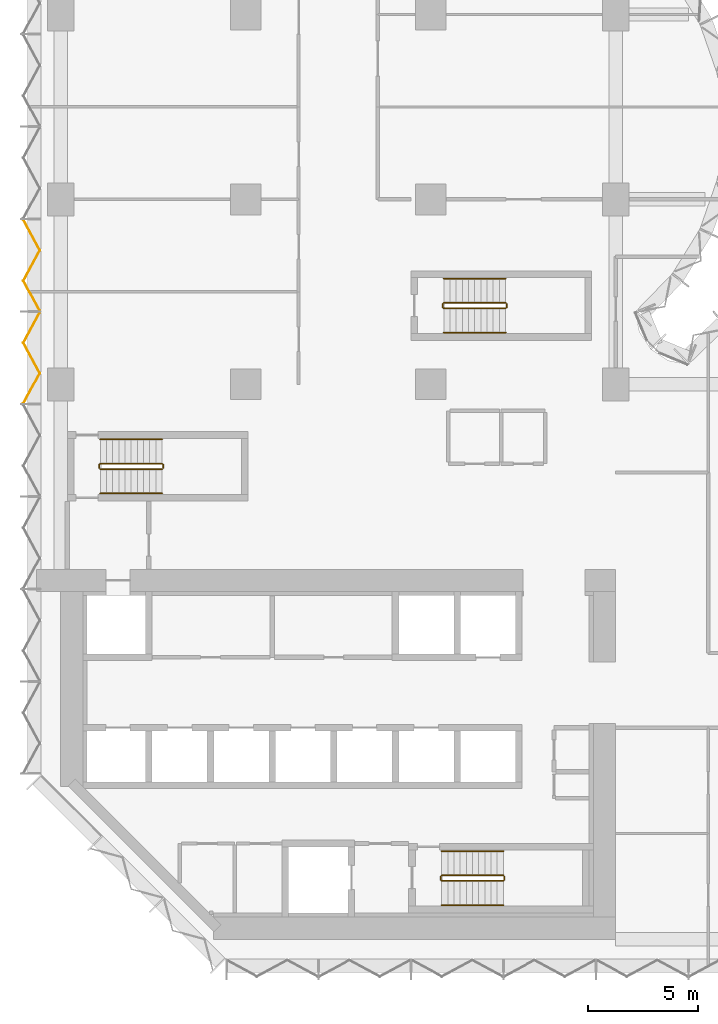
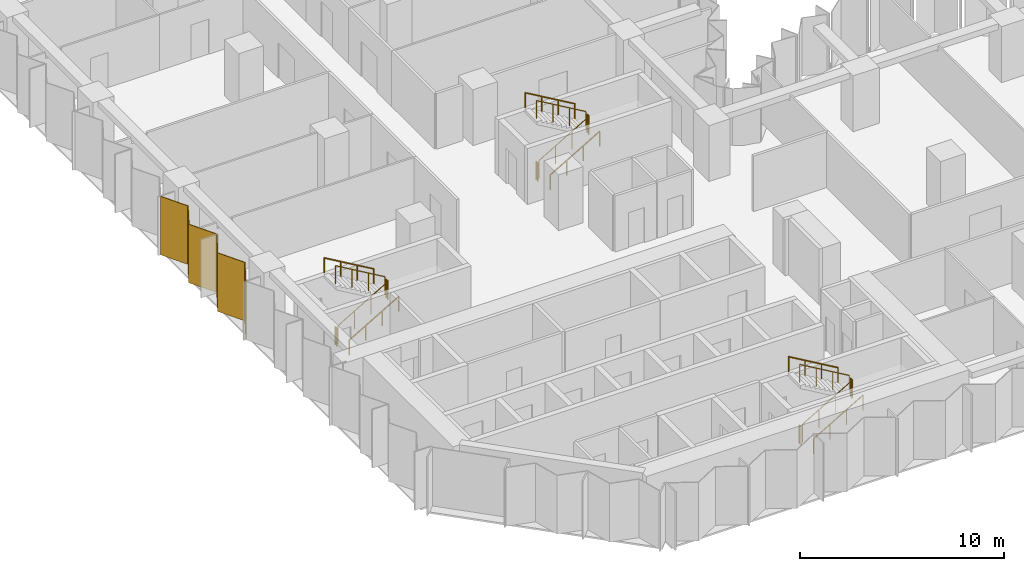
# One storey, part 13 of 15: 18 railings, 2 coverings, 1 element without a shape of its own.
"""IFC4 building model written with IfcOpenShell, lengths in metres."""

from ifc_helpers import new_model, si_unit, direction, frame, origin, origin_2d, place, context, subcontext, project, spatial, polyline, circle, outline, extrude, material, layer, layer_set, type_object, element, aggregate, save


model = new_model("IFC4")

# Units and contexts
model_context = context("Model", 3, precision=1e-05, world=origin(), true_north=direction((0.0, 1.0)))
body_context = subcontext(model_context, "Body", "Model", "MODEL_VIEW")
ifc_project = project(units=[si_unit("LENGTHUNIT", "METRE"), si_unit("AREAUNIT", "SQUARE_METRE"), si_unit("VOLUMEUNIT", "CUBIC_METRE"), si_unit("PLANEANGLEUNIT", "RADIAN"), si_unit("MASSUNIT", "GRAM", prefix="KILO")], contexts=[model_context])

# Site, building, storey
site_placement = place(None, origin())
site = spatial("IfcSite", under=ifc_project, at=site_placement, CompositionType="ELEMENT")
building_placement = place(site_placement, origin())
building = spatial("IfcBuilding", under=site, at=building_placement, Name="Brevane Broadcast Tower", CompositionType="ELEMENT")
storey_placement = place(building_placement, frame((0.0, 0.0, 54.5)))
storey = spatial("IfcBuildingStorey", under=building, at=storey_placement, Name="L11", CompositionType="ELEMENT", Elevation=54.5)

# Railings
ifc_material_1 = material(Name="Steel S355", Category="steel")
railing_type_1 = type_object("IfcRailingType", Name="Exit stair guard", PredefinedType="GUARDRAIL", material=ifc_material_1)
railing_1_placement = place(storey_placement, frame((1.800048828125, 21.35009765625, 0.16357421875)))
element("IfcRailing", 1, at=railing_1_placement, inside=storey, type_object=railing_type_1, Name="L11 ST-1 stair guard 1", PredefinedType="GUARDRAIL", context=body_context, shape_type="SweptSolid", body=[
    extrude(circle(Radius=0.02392578125, at=origin_2d()), frame((0.0, 0.0, 1.076171875), z_axis=(0.863360870873, 0.0, 0.504586966384), x_axis=(0.0, 1.0, 0.0)), (0.0, 0.0, 1.0), 3.2431640625),
    extrude(circle(Radius=0.02099609375, at=origin_2d()), origin(), (0.0, 0.0, 1.0), 1.052001953125),
    extrude(circle(Radius=0.02099609375, at=origin_2d()), frame((0.933349609375, 0.0, 0.54541015625)), (0.0, 0.0, 1.0), 1.052001953125),
    extrude(circle(Radius=0.02099609375, at=origin_2d()), frame((1.86669921875, 0.0, 1.091064453125)), (0.0, 0.0, 1.0), 1.052001953125),
    extrude(circle(Radius=0.02099609375, at=origin_2d()), frame((2.800048828125, 0.0, 1.636474609375)), (0.0, 0.0, 1.0), 1.052001953125),
])
railing_2_placement = place(storey_placement, frame((4.64990234375, 21.39990234375, 1.800048828125)))
element("IfcRailing", 2, at=railing_2_placement, inside=storey, type_object=railing_type_1, Name="L11 ST-1 stair guard 2", PredefinedType="GUARDRAIL", context=body_context, shape_type="SweptSolid", body=[
    extrude(circle(Radius=0.02392578125, at=origin_2d()), frame((0.0, 0.0, 1.076171875), z_axis=(0.0, 1.0, 0.0), x_axis=(-1.0, 0.0, 0.0)), (0.0, 0.0, 1.0), 0.150146484375),
    extrude(circle(Radius=0.02099609375, at=origin_2d()), origin(), (0.0, 0.0, 1.0), 1.052001953125),
    extrude(circle(Radius=0.02099609375, at=origin_2d()), frame((0.0, 0.150146484375, 0.0)), (0.0, 0.0, 1.0), 1.052001953125),
])
railing_3_placement = place(storey_placement, frame((4.60009765625, 21.60009765625, 1.963623046875)))
element("IfcRailing", 3, at=railing_3_placement, inside=storey, type_object=railing_type_1, Name="L11 ST-1 stair guard 3", PredefinedType="GUARDRAIL", context=body_context, shape_type="SweptSolid", body=[
    extrude(circle(Radius=0.02392578125, at=origin_2d()), frame((0.0, 0.0, 1.076171875), z_axis=(-0.863360870873, 0.0, 0.504586966384), x_axis=(0.0, -1.0, 0.0)), (0.0, 0.0, 1.0), 3.2431640625),
    extrude(circle(Radius=0.02099609375, at=origin_2d()), origin(), (0.0, 0.0, 1.0), 1.052001953125),
    extrude(circle(Radius=0.02099609375, at=origin_2d()), frame((-0.933349609375, 0.0, 0.54541015625)), (0.0, 0.0, 1.0), 1.052001953125),
    extrude(circle(Radius=0.02099609375, at=origin_2d()), frame((-1.86669921875, 0.0, 1.091064453125)), (0.0, 0.0, 1.0), 1.052001953125),
    extrude(circle(Radius=0.02099609375, at=origin_2d()), frame((-2.800048828125, 0.0, 1.636474609375)), (0.0, 0.0, 1.0), 1.052001953125),
])
railing_4_placement = place(storey_placement, frame((1.75, 21.39990234375, 0.0)))
element("IfcRailing", 4, at=railing_4_placement, inside=storey, type_object=railing_type_1, Name="L11 ST-1 stair guard 4", PredefinedType="GUARDRAIL", context=body_context, shape_type="SweptSolid", body=[
    extrude(circle(Radius=0.02392578125, at=origin_2d()), frame((0.0, 0.0, 1.076171875), z_axis=(0.0, 1.0, 0.0), x_axis=(-1.0, 0.0, 0.0)), (0.0, 0.0, 1.0), 0.150146484375),
    extrude(circle(Radius=0.02099609375, at=origin_2d()), origin(), (0.0, 0.0, 1.0), 1.052001953125),
    extrude(circle(Radius=0.02099609375, at=origin_2d()), frame((0.0, 0.150146484375, 0.0)), (0.0, 0.0, 1.0), 1.052001953125),
])
railing_5_placement = place(storey_placement, frame((17.300048828125, 2.64990234375, 0.16357421875)))
element("IfcRailing", 5, at=railing_5_placement, inside=storey, type_object=railing_type_1, Name="L11 ST-2 stair guard 1", PredefinedType="GUARDRAIL", context=body_context, shape_type="SweptSolid", body=[
    extrude(circle(Radius=0.02392578125, at=origin_2d()), frame((0.0, 0.0, 1.076171875), z_axis=(0.863360870873, 0.0, 0.504586966384), x_axis=(0.0, 1.0, 0.0)), (0.0, 0.0, 1.0), 3.2431640625),
    extrude(circle(Radius=0.02099609375, at=origin_2d()), origin(), (0.0, 0.0, 1.0), 1.052001953125),
    extrude(circle(Radius=0.02099609375, at=origin_2d()), frame((0.933349609375, 0.0, 0.54541015625)), (0.0, 0.0, 1.0), 1.052001953125),
    extrude(circle(Radius=0.02099609375, at=origin_2d()), frame((1.86669921875, 0.0, 1.091064453125)), (0.0, 0.0, 1.0), 1.052001953125),
    extrude(circle(Radius=0.02099609375, at=origin_2d()), frame((2.800048828125, 0.0, 1.636474609375)), (0.0, 0.0, 1.0), 1.052001953125),
])
railing_6_placement = place(storey_placement, frame((20.14990234375, 2.699951171875, 1.800048828125)))
element("IfcRailing", 6, at=railing_6_placement, inside=storey, type_object=railing_type_1, Name="L11 ST-2 stair guard 2", PredefinedType="GUARDRAIL", context=body_context, shape_type="SweptSolid", body=[
    extrude(circle(Radius=0.02392578125, at=origin_2d()), frame((0.0, 0.0, 1.076171875), z_axis=(0.0, 1.0, 0.0), x_axis=(-1.0, 0.0, 0.0)), (0.0, 0.0, 1.0), 0.150146484375),
    extrude(circle(Radius=0.02099609375, at=origin_2d()), origin(), (0.0, 0.0, 1.0), 1.052001953125),
    extrude(circle(Radius=0.02099609375, at=origin_2d()), frame((0.0, 0.150146484375, 0.0)), (0.0, 0.0, 1.0), 1.052001953125),
])
railing_7_placement = place(storey_placement, frame((20.10009765625, 2.89990234375, 1.963623046875)))
element("IfcRailing", 7, at=railing_7_placement, inside=storey, type_object=railing_type_1, Name="L11 ST-2 stair guard 3", PredefinedType="GUARDRAIL", context=body_context, shape_type="SweptSolid", body=[
    extrude(circle(Radius=0.02392578125, at=origin_2d()), frame((0.0, 0.0, 1.076171875), z_axis=(-0.863360870873, 0.0, 0.504586966384), x_axis=(0.0, -1.0, 0.0)), (0.0, 0.0, 1.0), 3.2431640625),
    extrude(circle(Radius=0.02099609375, at=origin_2d()), origin(), (0.0, 0.0, 1.0), 1.052001953125),
    extrude(circle(Radius=0.02099609375, at=origin_2d()), frame((-0.933349609375, 0.0, 0.54541015625)), (0.0, 0.0, 1.0), 1.052001953125),
    extrude(circle(Radius=0.02099609375, at=origin_2d()), frame((-1.86669921875, 0.0, 1.091064453125)), (0.0, 0.0, 1.0), 1.052001953125),
    extrude(circle(Radius=0.02099609375, at=origin_2d()), frame((-2.800048828125, 0.0, 1.636474609375)), (0.0, 0.0, 1.0), 1.052001953125),
])
railing_8_placement = place(storey_placement, frame((17.25, 2.699951171875, 0.0)))
element("IfcRailing", 8, at=railing_8_placement, inside=storey, type_object=railing_type_1, Name="L11 ST-2 stair guard 4", PredefinedType="GUARDRAIL", context=body_context, shape_type="SweptSolid", body=[
    extrude(circle(Radius=0.02392578125, at=origin_2d()), frame((0.0, 0.0, 1.076171875), z_axis=(0.0, 1.0, 0.0), x_axis=(-1.0, 0.0, 0.0)), (0.0, 0.0, 1.0), 0.150146484375),
    extrude(circle(Radius=0.02099609375, at=origin_2d()), origin(), (0.0, 0.0, 1.0), 1.052001953125),
    extrude(circle(Radius=0.02099609375, at=origin_2d()), frame((0.0, 0.150146484375, 0.0)), (0.0, 0.0, 1.0), 1.052001953125),
])
railing_9_placement = place(storey_placement, frame((17.39990234375, 28.64990234375, 0.16357421875)))
element("IfcRailing", 9, at=railing_9_placement, inside=storey, type_object=railing_type_1, Name="L11 ST-3 stair guard 1", PredefinedType="GUARDRAIL", context=body_context, shape_type="SweptSolid", body=[
    extrude(circle(Radius=0.02392578125, at=origin_2d()), frame((0.0, 0.0, 1.076171875), z_axis=(0.863360870873, 0.0, 0.504586966384), x_axis=(0.0, 1.0, 0.0)), (0.0, 0.0, 1.0), 3.2431640625),
    extrude(circle(Radius=0.02099609375, at=origin_2d()), origin(), (0.0, 0.0, 1.0), 1.052001953125),
    extrude(circle(Radius=0.02099609375, at=origin_2d()), frame((0.933349609375, 0.0, 0.54541015625)), (0.0, 0.0, 1.0), 1.052001953125),
    extrude(circle(Radius=0.02099609375, at=origin_2d()), frame((1.86669921875, 0.0, 1.091064453125)), (0.0, 0.0, 1.0), 1.052001953125),
    extrude(circle(Radius=0.02099609375, at=origin_2d()), frame((2.800048828125, 0.0, 1.636474609375)), (0.0, 0.0, 1.0), 1.052001953125),
])
railing_10_placement = place(storey_placement, frame((20.25, 28.699951171875, 1.800048828125)))
element("IfcRailing", 10, at=railing_10_placement, inside=storey, type_object=railing_type_1, Name="L11 ST-3 stair guard 2", PredefinedType="GUARDRAIL", context=body_context, shape_type="SweptSolid", body=[
    extrude(circle(Radius=0.02392578125, at=origin_2d()), frame((0.0, 0.0, 1.076171875), z_axis=(0.0, 1.0, 0.0), x_axis=(-1.0, 0.0, 0.0)), (0.0, 0.0, 1.0), 0.150146484375),
    extrude(circle(Radius=0.02099609375, at=origin_2d()), origin(), (0.0, 0.0, 1.0), 1.052001953125),
    extrude(circle(Radius=0.02099609375, at=origin_2d()), frame((0.0, 0.150146484375, 0.0)), (0.0, 0.0, 1.0), 1.052001953125),
])
railing_11_placement = place(storey_placement, frame((20.199951171875, 28.89990234375, 1.963623046875)))
element("IfcRailing", 11, at=railing_11_placement, inside=storey, type_object=railing_type_1, Name="L11 ST-3 stair guard 3", PredefinedType="GUARDRAIL", context=body_context, shape_type="SweptSolid", body=[
    extrude(circle(Radius=0.02392578125, at=origin_2d()), frame((0.0, 0.0, 1.076171875), z_axis=(-0.863360870873, 0.0, 0.504586966384), x_axis=(0.0, -1.0, 0.0)), (0.0, 0.0, 1.0), 3.2431640625),
    extrude(circle(Radius=0.02099609375, at=origin_2d()), origin(), (0.0, 0.0, 1.0), 1.052001953125),
    extrude(circle(Radius=0.02099609375, at=origin_2d()), frame((-0.933349609375, 0.0, 0.54541015625)), (0.0, 0.0, 1.0), 1.052001953125),
    extrude(circle(Radius=0.02099609375, at=origin_2d()), frame((-1.86669921875, 0.0, 1.091064453125)), (0.0, 0.0, 1.0), 1.052001953125),
    extrude(circle(Radius=0.02099609375, at=origin_2d()), frame((-2.800048828125, 0.0, 1.636474609375)), (0.0, 0.0, 1.0), 1.052001953125),
])
railing_12_placement = place(storey_placement, frame((17.35009765625, 28.699951171875, 0.0)))
element("IfcRailing", 12, at=railing_12_placement, inside=storey, type_object=railing_type_1, Name="L11 ST-3 stair guard 4", PredefinedType="GUARDRAIL", context=body_context, shape_type="SweptSolid", body=[
    extrude(circle(Radius=0.02392578125, at=origin_2d()), frame((0.0, 0.0, 1.076171875), z_axis=(0.0, 1.0, 0.0), x_axis=(-1.0, 0.0, 0.0)), (0.0, 0.0, 1.0), 0.150146484375),
    extrude(circle(Radius=0.02099609375, at=origin_2d()), origin(), (0.0, 0.0, 1.0), 1.052001953125),
    extrude(circle(Radius=0.02099609375, at=origin_2d()), frame((0.0, 0.150146484375, 0.0)), (0.0, 0.0, 1.0), 1.052001953125),
])
railing_type_2 = type_object("IfcRailingType", Name="Exit stair handrail", PredefinedType="HANDRAIL", material=ifc_material_1)
railing_13_placement = place(storey_placement, frame((1.800048828125, 20.25, 0.16357421875)))
element("IfcRailing", 13, at=railing_13_placement, inside=storey, type_object=railing_type_2, Name="L11 ST-1 stair handrail 1", PredefinedType="HANDRAIL", context=body_context, shape_type="SweptSolid", body=[
    extrude(circle(Radius=0.02392578125, at=origin_2d()), frame((0.0, 0.0, 0.8759765625), z_axis=(0.863360870873, 0.0, 0.504586966384), x_axis=(0.0, 1.0, 0.0)), (0.0, 0.0, 1.0), 3.2431640625),
    extrude(circle(Radius=0.02099609375, at=origin_2d()), origin(), (0.0, 0.0, 1.0), 0.851806640625),
    extrude(circle(Radius=0.02099609375, at=origin_2d()), frame((0.933349609375, 0.0, 0.54541015625)), (0.0, 0.0, 1.0), 0.851806640625),
    extrude(circle(Radius=0.02099609375, at=origin_2d()), frame((1.86669921875, 0.0, 1.091064453125)), (0.0, 0.0, 1.0), 0.851806640625),
    extrude(circle(Radius=0.02099609375, at=origin_2d()), frame((2.800048828125, 0.0, 1.636474609375)), (0.0, 0.0, 1.0), 0.851806640625),
])
railing_14_placement = place(storey_placement, frame((4.60009765625, 22.699951171875, 1.963623046875)))
element("IfcRailing", 14, at=railing_14_placement, inside=storey, type_object=railing_type_2, Name="L11 ST-1 stair handrail 2", PredefinedType="HANDRAIL", context=body_context, shape_type="SweptSolid", body=[
    extrude(circle(Radius=0.02392578125, at=origin_2d()), frame((0.0, 0.0, 0.8759765625), z_axis=(-0.863360870873, 0.0, 0.504586966384), x_axis=(0.0, -1.0, 0.0)), (0.0, 0.0, 1.0), 3.2431640625),
    extrude(circle(Radius=0.02099609375, at=origin_2d()), origin(), (0.0, 0.0, 1.0), 0.851806640625),
    extrude(circle(Radius=0.02099609375, at=origin_2d()), frame((-0.933349609375, 0.0, 0.54541015625)), (0.0, 0.0, 1.0), 0.851806640625),
    extrude(circle(Radius=0.02099609375, at=origin_2d()), frame((-1.86669921875, 0.0, 1.091064453125)), (0.0, 0.0, 1.0), 0.851806640625),
    extrude(circle(Radius=0.02099609375, at=origin_2d()), frame((-2.800048828125, 0.0, 1.636474609375)), (0.0, 0.0, 1.0), 0.851806640625),
])
railing_15_placement = place(storey_placement, frame((17.300048828125, 1.550048828125, 0.16357421875)))
element("IfcRailing", 15, at=railing_15_placement, inside=storey, type_object=railing_type_2, Name="L11 ST-2 stair handrail 1", PredefinedType="HANDRAIL", context=body_context, shape_type="SweptSolid", body=[
    extrude(circle(Radius=0.02392578125, at=origin_2d()), frame((0.0, 0.0, 0.8759765625), z_axis=(0.863360870873, 0.0, 0.504586966384), x_axis=(0.0, 1.0, 0.0)), (0.0, 0.0, 1.0), 3.2431640625),
    extrude(circle(Radius=0.02099609375, at=origin_2d()), origin(), (0.0, 0.0, 1.0), 0.851806640625),
    extrude(circle(Radius=0.02099609375, at=origin_2d()), frame((0.933349609375, 0.0, 0.54541015625)), (0.0, 0.0, 1.0), 0.851806640625),
    extrude(circle(Radius=0.02099609375, at=origin_2d()), frame((1.86669921875, 0.0, 1.091064453125)), (0.0, 0.0, 1.0), 0.851806640625),
    extrude(circle(Radius=0.02099609375, at=origin_2d()), frame((2.800048828125, 0.0, 1.636474609375)), (0.0, 0.0, 1.0), 0.851806640625),
])
railing_16_placement = place(storey_placement, frame((20.10009765625, 4.0, 1.963623046875)))
element("IfcRailing", 16, at=railing_16_placement, inside=storey, type_object=railing_type_2, Name="L11 ST-2 stair handrail 2", PredefinedType="HANDRAIL", context=body_context, shape_type="SweptSolid", body=[
    extrude(circle(Radius=0.02392578125, at=origin_2d()), frame((0.0, 0.0, 0.8759765625), z_axis=(-0.863360870873, 0.0, 0.504586966384), x_axis=(0.0, -1.0, 0.0)), (0.0, 0.0, 1.0), 3.2431640625),
    extrude(circle(Radius=0.02099609375, at=origin_2d()), origin(), (0.0, 0.0, 1.0), 0.851806640625),
    extrude(circle(Radius=0.02099609375, at=origin_2d()), frame((-0.933349609375, 0.0, 0.54541015625)), (0.0, 0.0, 1.0), 0.851806640625),
    extrude(circle(Radius=0.02099609375, at=origin_2d()), frame((-1.86669921875, 0.0, 1.091064453125)), (0.0, 0.0, 1.0), 0.851806640625),
    extrude(circle(Radius=0.02099609375, at=origin_2d()), frame((-2.800048828125, 0.0, 1.636474609375)), (0.0, 0.0, 1.0), 0.851806640625),
])
railing_17_placement = place(storey_placement, frame((17.39990234375, 27.550048828125, 0.16357421875)))
element("IfcRailing", 17, at=railing_17_placement, inside=storey, type_object=railing_type_2, Name="L11 ST-3 stair handrail 1", PredefinedType="HANDRAIL", context=body_context, shape_type="SweptSolid", body=[
    extrude(circle(Radius=0.02392578125, at=origin_2d()), frame((0.0, 0.0, 0.8759765625), z_axis=(0.863360870873, 0.0, 0.504586966384), x_axis=(0.0, 1.0, 0.0)), (0.0, 0.0, 1.0), 3.2431640625),
    extrude(circle(Radius=0.02099609375, at=origin_2d()), origin(), (0.0, 0.0, 1.0), 0.851806640625),
    extrude(circle(Radius=0.02099609375, at=origin_2d()), frame((0.933349609375, 0.0, 0.54541015625)), (0.0, 0.0, 1.0), 0.851806640625),
    extrude(circle(Radius=0.02099609375, at=origin_2d()), frame((1.86669921875, 0.0, 1.091064453125)), (0.0, 0.0, 1.0), 0.851806640625),
    extrude(circle(Radius=0.02099609375, at=origin_2d()), frame((2.800048828125, 0.0, 1.636474609375)), (0.0, 0.0, 1.0), 0.851806640625),
])
railing_18_placement = place(storey_placement, frame((20.199951171875, 30.0, 1.963623046875)))
element("IfcRailing", 18, at=railing_18_placement, inside=storey, type_object=railing_type_2, Name="L11 ST-3 stair handrail 2", PredefinedType="HANDRAIL", context=body_context, shape_type="SweptSolid", body=[
    extrude(circle(Radius=0.02392578125, at=origin_2d()), frame((0.0, 0.0, 0.8759765625), z_axis=(-0.863360870873, 0.0, 0.504586966384), x_axis=(0.0, -1.0, 0.0)), (0.0, 0.0, 1.0), 3.2431640625),
    extrude(circle(Radius=0.02099609375, at=origin_2d()), origin(), (0.0, 0.0, 1.0), 0.851806640625),
    extrude(circle(Radius=0.02099609375, at=origin_2d()), frame((-0.933349609375, 0.0, 0.54541015625)), (0.0, 0.0, 1.0), 0.851806640625),
    extrude(circle(Radius=0.02099609375, at=origin_2d()), frame((-1.86669921875, 0.0, 1.091064453125)), (0.0, 0.0, 1.0), 0.851806640625),
    extrude(circle(Radius=0.02099609375, at=origin_2d()), frame((-2.800048828125, 0.0, 1.636474609375)), (0.0, 0.0, 1.0), 0.851806640625),
])

# Curtain wall, coverings
ifc_material_2 = material(Name="Aluminium 6063-T6 bronze anodised", Category="aluminium")
curtain_wall_type = type_object("IfcCurtainWallType", Name="CW-1 curtain wall", PredefinedType="NOTDEFINED", material=ifc_material_2)
curtain_wall_placement = place(storey_placement, origin())
curtain_wall = element("IfcCurtainWall", 19, at=curtain_wall_placement, inside=storey, type_object=curtain_wall_type, Name="CW-1 typical tilted unit L11 west face", PredefinedType="NOTDEFINED")
ifc_material_3 = material(Name="Back-painted bronze glass shadow-box", Category="glass")
ifc_layer = layer(ifc_material_3, 0.0400390625)
ifc_layer_set = layer_set([ifc_layer], Name="Shadow-box panel 40")
covering_type = type_object("IfcCoveringType", Name="Shadow-box panel 40", PredefinedType="CLADDING", material=ifc_layer_set)
covering_1_placement = place(storey_placement, frame((0.0, 0.0, -0.14990234375)))
covering_1 = element("IfcCovering", 20, at=covering_1_placement, type_object=covering_type, Name="Shadow-box panel", PredefinedType="CLADDING", context=body_context, shape_type="SweptSolid", body=[
    extrude(outline(polyline([(-1.671630859375, 32.6650390625), (-1.717041015625, 32.6650390625), (-0.97265625, 31.288330078125), (-1.717041015625, 29.91162109375), (-0.97265625, 28.534912109375), (-0.92724609375, 28.534912109375), (-1.671630859375, 29.91162109375), (-0.92724609375, 31.288330078125), (-1.671630859375, 32.6650390625)])), origin(), (0.0, 0.0, 1.0), 3.5),
])
covering_2_placement = place(storey_placement, frame((0.0, 0.0, -0.14990234375)))
covering_2 = element("IfcCovering", 21, at=covering_2_placement, type_object=covering_type, Name="Shadow-box panel", PredefinedType="CLADDING", context=body_context, shape_type="SweptSolid", body=[
    extrude(outline(polyline([(-0.92724609375, 28.465087890625), (-0.97265625, 28.465087890625), (-1.717041015625, 27.08837890625), (-0.97265625, 25.711669921875), (-1.717041015625, 24.3349609375), (-1.671630859375, 24.3349609375), (-0.92724609375, 25.711669921875), (-1.671630859375, 27.08837890625), (-0.92724609375, 28.465087890625)])), origin(), (0.0, 0.0, 1.0), 3.5),
])
aggregate(curtain_wall, [covering_1, covering_2])

save(model, "model.ifc")
